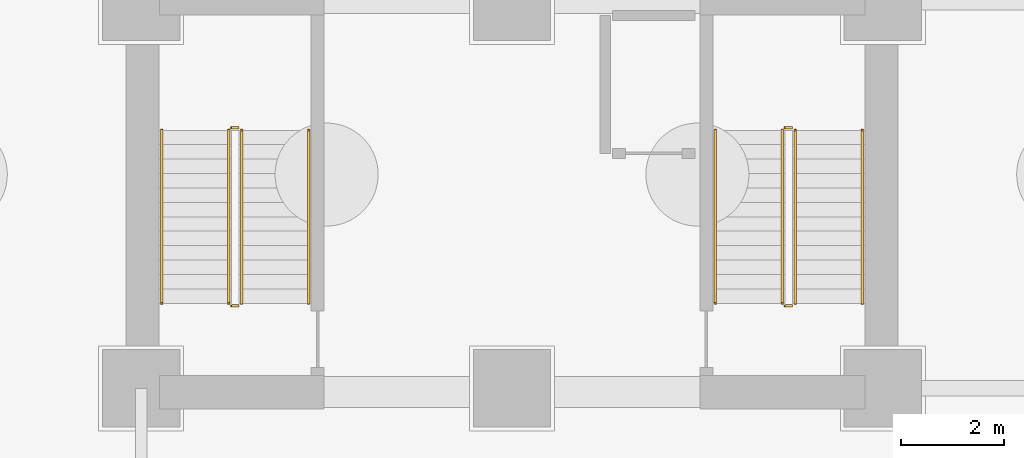
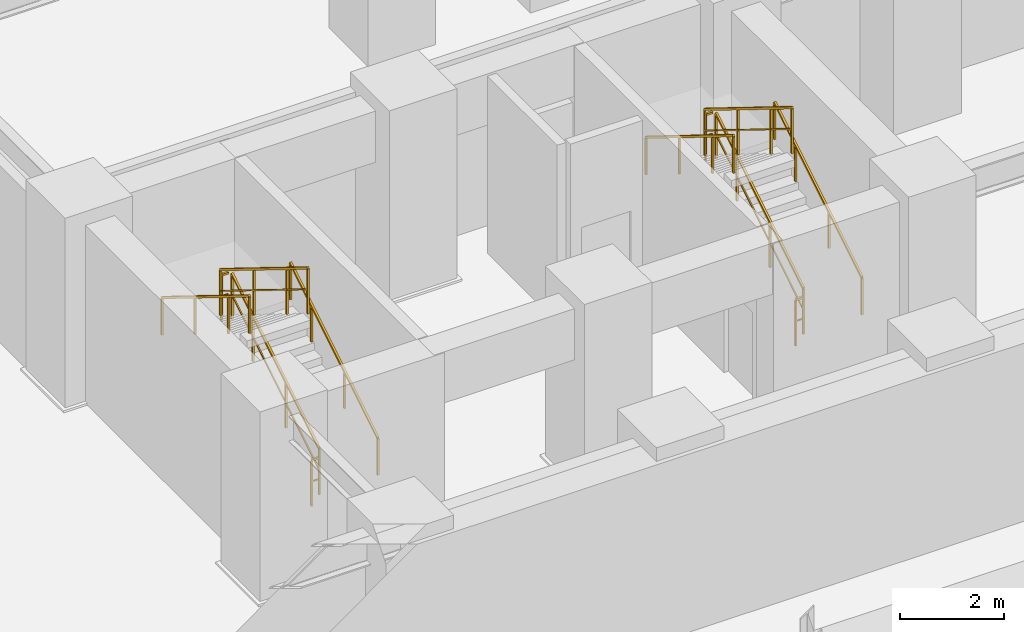
# One storey, part 10 of 11: 12 railings.
"""IFC4 building model written with IfcOpenShell, lengths in metres."""

from ifc_helpers import new_model, si_unit, direction, frame, origin, origin_2d, place, context, subcontext, project, spatial, rectangle, extrude, material, type_object, element, save


model = new_model("IFC4")

# Units and contexts
model_context = context("Model", 3, precision=1e-05, world=origin(), true_north=direction((0.0, 1.0)))
body_context = subcontext(model_context, "Body", "Model", "MODEL_VIEW")
ifc_project = project(units=[si_unit("LENGTHUNIT", "METRE"), si_unit("AREAUNIT", "SQUARE_METRE"), si_unit("VOLUMEUNIT", "CUBIC_METRE"), si_unit("PLANEANGLEUNIT", "RADIAN"), si_unit("MASSUNIT", "GRAM", prefix="KILO")], contexts=[model_context])

# Site, building, storey
site_placement = place(None, origin())
site = spatial("IfcSite", under=ifc_project, at=site_placement, CompositionType="ELEMENT")
building_placement = place(site_placement, origin())
building = spatial("IfcBuilding", under=site, at=building_placement, Name="Kaliganga Portal Commons", CompositionType="ELEMENT")
storey_placement = place(building_placement, frame((0.0, 0.0, -9.0)))
storey = spatial("IfcBuildingStorey", under=building, at=storey_placement, Name="B2", CompositionType="ELEMENT", Elevation=-9.0)

# Railings
ifc_material_1 = material(Name="Galvanized Painted Steel Balustrade", Category="steel")
railing_type_1 = type_object("IfcRailingType", Name="RLG-STAIR-GRD", PredefinedType="GUARDRAIL", material=ifc_material_1)
railing_1_placement = place(storey_placement, frame((37.949951171875, 8.699951171875, 0.173095703125)))
element("IfcRailing", 1, at=railing_1_placement, inside=storey, type_object=railing_type_1, Name="B2 ST-B1 stair guard 1", PredefinedType="GUARDRAIL", context=body_context, shape_type="SweptSolid", body=[
    extrude(rectangle(XDim=0.048095703125, YDim=0.048095703125, at=origin_2d()), frame((0.0, 0.0, 1.07177734375), z_axis=(0.0, 0.850623216509, 0.525775754039), x_axis=(-1.0, 0.0, 0.0)), (0.0, 0.0, 1.0), 3.9501953125),
    extrude(rectangle(XDim=0.028076171875, YDim=0.028076171875, at=origin_2d()), frame((0.0, 0.0, 0.572021484375), z_axis=(0.0, 0.850623216509, 0.525775754039), x_axis=(-1.0, 0.0, 0.0)), (0.0, 0.0, 1.0), 3.9501953125),
    extrude(rectangle(XDim=0.0419921875, YDim=0.0419921875, at=origin_2d()), origin(), (0.0, 0.0, 1.0), 1.052001953125),
    extrude(rectangle(XDim=0.0419921875, YDim=0.0419921875, at=origin_2d()), frame((0.0, 1.27587890625, 0.78857421875)), (0.0, 0.0, 1.0), 1.052001953125),
    extrude(rectangle(XDim=0.0419921875, YDim=0.0419921875, at=origin_2d()), frame((0.0, 2.5517578125, 1.577392578125)), (0.0, 0.0, 1.0), 1.052001953125),
    extrude(rectangle(XDim=0.0419921875, YDim=0.0419921875, at=origin_2d()), frame((0.0, 3.360107421875, 2.076904296875)), (0.0, 0.0, 1.0), 1.052001953125),
])
railing_2_placement = place(storey_placement, frame((37.89990234375, 12.110107421875, 2.25)))
element("IfcRailing", 2, at=railing_2_placement, inside=storey, type_object=railing_type_1, Name="B2 ST-B1 stair guard 2", PredefinedType="GUARDRAIL", context=body_context, shape_type="SweptSolid", body=[
    extrude(rectangle(XDim=0.048095703125, YDim=0.048095703125, at=origin_2d()), frame((0.0, 0.0, 1.076171875), z_axis=(-1.0, 0.0, 0.0), x_axis=(0.0, -1.0, 0.0)), (0.0, 0.0, 1.0), 0.14990234375),
    extrude(rectangle(XDim=0.028076171875, YDim=0.028076171875, at=origin_2d()), frame((0.0, 0.0, 0.572021484375), z_axis=(-1.0, 0.0, 0.0), x_axis=(0.0, -1.0, 0.0)), (0.0, 0.0, 1.0), 0.14990234375),
    extrude(rectangle(XDim=0.0419921875, YDim=0.0419921875, at=origin_2d()), frame((-0.14990234375, 0.0, 0.0)), (0.0, 0.0, 1.0), 1.052001953125),
])
railing_3_placement = place(storey_placement, frame((37.699951171875, 12.06005859375, 2.423095703125)))
element("IfcRailing", 3, at=railing_3_placement, inside=storey, type_object=railing_type_1, Name="B2 ST-B1 stair guard 3", PredefinedType="GUARDRAIL", context=body_context, shape_type="SweptSolid", body=[
    extrude(rectangle(XDim=0.048095703125, YDim=0.048095703125, at=origin_2d()), frame((0.0, 0.0, 1.07177734375), z_axis=(0.0, -0.850623216509, 0.525775754039), x_axis=(1.0, 0.0, 0.0)), (0.0, 0.0, 1.0), 3.9501953125),
    extrude(rectangle(XDim=0.028076171875, YDim=0.028076171875, at=origin_2d()), frame((0.0, 0.0, 0.572021484375), z_axis=(0.0, -0.850623216509, 0.525775754039), x_axis=(1.0, 0.0, 0.0)), (0.0, 0.0, 1.0), 3.9501953125),
    extrude(rectangle(XDim=0.0419921875, YDim=0.0419921875, at=origin_2d()), origin(), (0.0, 0.0, 1.0), 1.052001953125),
    extrude(rectangle(XDim=0.0419921875, YDim=0.0419921875, at=origin_2d()), frame((0.0, -1.27587890625, 0.78857421875)), (0.0, 0.0, 1.0), 1.052001953125),
    extrude(rectangle(XDim=0.0419921875, YDim=0.0419921875, at=origin_2d()), frame((0.0, -2.5517578125, 1.577392578125)), (0.0, 0.0, 1.0), 1.052001953125),
    extrude(rectangle(XDim=0.0419921875, YDim=0.0419921875, at=origin_2d()), frame((0.0, -3.360107421875, 2.076904296875)), (0.0, 0.0, 1.0), 1.052001953125),
])
railing_4_placement = place(storey_placement, frame((37.89990234375, 8.64990234375, 0.0)))
element("IfcRailing", 4, at=railing_4_placement, inside=storey, type_object=railing_type_1, Name="B2 ST-B1 stair guard 4", PredefinedType="GUARDRAIL", context=body_context, shape_type="SweptSolid", body=[
    extrude(rectangle(XDim=0.048095703125, YDim=0.048095703125, at=origin_2d()), frame((0.0, 0.0, 1.076171875), z_axis=(-1.0, 0.0, 0.0), x_axis=(0.0, -1.0, 0.0)), (0.0, 0.0, 1.0), 0.14990234375),
    extrude(rectangle(XDim=0.028076171875, YDim=0.028076171875, at=origin_2d()), frame((0.0, 0.0, 0.572021484375), z_axis=(-1.0, 0.0, 0.0), x_axis=(0.0, -1.0, 0.0)), (0.0, 0.0, 1.0), 0.14990234375),
    extrude(rectangle(XDim=0.0419921875, YDim=0.0419921875, at=origin_2d()), frame((-0.14990234375, 0.0, 0.0)), (0.0, 0.0, 1.0), 1.052001953125),
])
railing_5_placement = place(storey_placement, frame((48.699951171875, 8.699951171875, 0.173095703125)))
element("IfcRailing", 5, at=railing_5_placement, inside=storey, type_object=railing_type_1, Name="B2 ST-B2 stair guard 1", PredefinedType="GUARDRAIL", context=body_context, shape_type="SweptSolid", body=[
    extrude(rectangle(XDim=0.048095703125, YDim=0.048095703125, at=origin_2d()), frame((0.0, 0.0, 1.07177734375), z_axis=(0.0, 0.850623216509, 0.525775754039), x_axis=(-1.0, 0.0, 0.0)), (0.0, 0.0, 1.0), 3.9501953125),
    extrude(rectangle(XDim=0.028076171875, YDim=0.028076171875, at=origin_2d()), frame((0.0, 0.0, 0.572021484375), z_axis=(0.0, 0.850623216509, 0.525775754039), x_axis=(-1.0, 0.0, 0.0)), (0.0, 0.0, 1.0), 3.9501953125),
    extrude(rectangle(XDim=0.0419921875, YDim=0.0419921875, at=origin_2d()), origin(), (0.0, 0.0, 1.0), 1.052001953125),
    extrude(rectangle(XDim=0.0419921875, YDim=0.0419921875, at=origin_2d()), frame((0.0, 1.27587890625, 0.78857421875)), (0.0, 0.0, 1.0), 1.052001953125),
    extrude(rectangle(XDim=0.0419921875, YDim=0.0419921875, at=origin_2d()), frame((0.0, 2.5517578125, 1.577392578125)), (0.0, 0.0, 1.0), 1.052001953125),
    extrude(rectangle(XDim=0.0419921875, YDim=0.0419921875, at=origin_2d()), frame((0.0, 3.360107421875, 2.076904296875)), (0.0, 0.0, 1.0), 1.052001953125),
])
railing_6_placement = place(storey_placement, frame((48.64990234375, 12.110107421875, 2.25)))
element("IfcRailing", 6, at=railing_6_placement, inside=storey, type_object=railing_type_1, Name="B2 ST-B2 stair guard 2", PredefinedType="GUARDRAIL", context=body_context, shape_type="SweptSolid", body=[
    extrude(rectangle(XDim=0.048095703125, YDim=0.048095703125, at=origin_2d()), frame((0.0, 0.0, 1.076171875), z_axis=(-1.0, 0.0, 0.0), x_axis=(0.0, -1.0, 0.0)), (0.0, 0.0, 1.0), 0.14990234375),
    extrude(rectangle(XDim=0.028076171875, YDim=0.028076171875, at=origin_2d()), frame((0.0, 0.0, 0.572021484375), z_axis=(-1.0, 0.0, 0.0), x_axis=(0.0, -1.0, 0.0)), (0.0, 0.0, 1.0), 0.14990234375),
    extrude(rectangle(XDim=0.0419921875, YDim=0.0419921875, at=origin_2d()), frame((-0.14990234375, 0.0, 0.0)), (0.0, 0.0, 1.0), 1.052001953125),
])
railing_7_placement = place(storey_placement, frame((48.449951171875, 12.06005859375, 2.423095703125)))
element("IfcRailing", 7, at=railing_7_placement, inside=storey, type_object=railing_type_1, Name="B2 ST-B2 stair guard 3", PredefinedType="GUARDRAIL", context=body_context, shape_type="SweptSolid", body=[
    extrude(rectangle(XDim=0.048095703125, YDim=0.048095703125, at=origin_2d()), frame((0.0, 0.0, 1.07177734375), z_axis=(0.0, -0.850623216509, 0.525775754039), x_axis=(1.0, 0.0, 0.0)), (0.0, 0.0, 1.0), 3.9501953125),
    extrude(rectangle(XDim=0.028076171875, YDim=0.028076171875, at=origin_2d()), frame((0.0, 0.0, 0.572021484375), z_axis=(0.0, -0.850623216509, 0.525775754039), x_axis=(1.0, 0.0, 0.0)), (0.0, 0.0, 1.0), 3.9501953125),
    extrude(rectangle(XDim=0.0419921875, YDim=0.0419921875, at=origin_2d()), origin(), (0.0, 0.0, 1.0), 1.052001953125),
    extrude(rectangle(XDim=0.0419921875, YDim=0.0419921875, at=origin_2d()), frame((0.0, -1.27587890625, 0.78857421875)), (0.0, 0.0, 1.0), 1.052001953125),
    extrude(rectangle(XDim=0.0419921875, YDim=0.0419921875, at=origin_2d()), frame((0.0, -2.5517578125, 1.577392578125)), (0.0, 0.0, 1.0), 1.052001953125),
    extrude(rectangle(XDim=0.0419921875, YDim=0.0419921875, at=origin_2d()), frame((0.0, -3.360107421875, 2.076904296875)), (0.0, 0.0, 1.0), 1.052001953125),
])
railing_8_placement = place(storey_placement, frame((48.64990234375, 8.64990234375, 0.0)))
element("IfcRailing", 8, at=railing_8_placement, inside=storey, type_object=railing_type_1, Name="B2 ST-B2 stair guard 4", PredefinedType="GUARDRAIL", context=body_context, shape_type="SweptSolid", body=[
    extrude(rectangle(XDim=0.048095703125, YDim=0.048095703125, at=origin_2d()), frame((0.0, 0.0, 1.076171875), z_axis=(-1.0, 0.0, 0.0), x_axis=(0.0, -1.0, 0.0)), (0.0, 0.0, 1.0), 0.14990234375),
    extrude(rectangle(XDim=0.028076171875, YDim=0.028076171875, at=origin_2d()), frame((0.0, 0.0, 0.572021484375), z_axis=(-1.0, 0.0, 0.0), x_axis=(0.0, -1.0, 0.0)), (0.0, 0.0, 1.0), 0.14990234375),
    extrude(rectangle(XDim=0.0419921875, YDim=0.0419921875, at=origin_2d()), frame((-0.14990234375, 0.0, 0.0)), (0.0, 0.0, 1.0), 1.052001953125),
])
ifc_material_2 = material(Name="Brushed Stainless Steel 316", Category="steel")
railing_type_2 = type_object("IfcRailingType", Name="RLG-STAIR-HR", PredefinedType="HANDRAIL", material=ifc_material_2)
railing_9_placement = place(storey_placement, frame((39.25, 8.699951171875, 0.173095703125)))
element("IfcRailing", 9, at=railing_9_placement, inside=storey, type_object=railing_type_2, Name="B2 ST-B1 stair handrail 1", PredefinedType="HANDRAIL", context=body_context, shape_type="SweptSolid", body=[
    extrude(rectangle(XDim=0.048095703125, YDim=0.048095703125, at=origin_2d()), frame((0.0, 0.0, 0.87158203125), z_axis=(0.0, 0.850623216509, 0.525775754039), x_axis=(-1.0, 0.0, 0.0)), (0.0, 0.0, 1.0), 3.9501953125),
    extrude(rectangle(XDim=0.0419921875, YDim=0.0419921875, at=origin_2d()), origin(), (0.0, 0.0, 1.0), 0.851806640625),
    extrude(rectangle(XDim=0.0419921875, YDim=0.0419921875, at=origin_2d()), frame((0.0, 1.27587890625, 0.78857421875)), (0.0, 0.0, 1.0), 0.851806640625),
    extrude(rectangle(XDim=0.0419921875, YDim=0.0419921875, at=origin_2d()), frame((0.0, 2.5517578125, 1.577392578125)), (0.0, 0.0, 1.0), 0.851806640625),
    extrude(rectangle(XDim=0.0419921875, YDim=0.0419921875, at=origin_2d()), frame((0.0, 3.360107421875, 2.076904296875)), (0.0, 0.0, 1.0), 0.851806640625),
])
railing_10_placement = place(storey_placement, frame((36.39990234375, 12.06005859375, 2.423095703125)))
element("IfcRailing", 10, at=railing_10_placement, inside=storey, type_object=railing_type_2, Name="B2 ST-B1 stair handrail 2", PredefinedType="HANDRAIL", context=body_context, shape_type="SweptSolid", body=[
    extrude(rectangle(XDim=0.048095703125, YDim=0.048095703125, at=origin_2d()), frame((0.0, 0.0, 0.87158203125), z_axis=(0.0, -0.850623216509, 0.525775754039), x_axis=(1.0, 0.0, 0.0)), (0.0, 0.0, 1.0), 3.9501953125),
    extrude(rectangle(XDim=0.0419921875, YDim=0.0419921875, at=origin_2d()), origin(), (0.0, 0.0, 1.0), 0.851806640625),
    extrude(rectangle(XDim=0.0419921875, YDim=0.0419921875, at=origin_2d()), frame((0.0, -1.27587890625, 0.78857421875)), (0.0, 0.0, 1.0), 0.851806640625),
    extrude(rectangle(XDim=0.0419921875, YDim=0.0419921875, at=origin_2d()), frame((0.0, -2.5517578125, 1.577392578125)), (0.0, 0.0, 1.0), 0.851806640625),
    extrude(rectangle(XDim=0.0419921875, YDim=0.0419921875, at=origin_2d()), frame((0.0, -3.360107421875, 2.076904296875)), (0.0, 0.0, 1.0), 0.851806640625),
])
railing_11_placement = place(storey_placement, frame((50.0, 8.699951171875, 0.173095703125)))
element("IfcRailing", 11, at=railing_11_placement, inside=storey, type_object=railing_type_2, Name="B2 ST-B2 stair handrail 1", PredefinedType="HANDRAIL", context=body_context, shape_type="SweptSolid", body=[
    extrude(rectangle(XDim=0.048095703125, YDim=0.048095703125, at=origin_2d()), frame((0.0, 0.0, 0.87158203125), z_axis=(0.0, 0.850623216509, 0.525775754039), x_axis=(-1.0, 0.0, 0.0)), (0.0, 0.0, 1.0), 3.9501953125),
    extrude(rectangle(XDim=0.0419921875, YDim=0.0419921875, at=origin_2d()), origin(), (0.0, 0.0, 1.0), 0.851806640625),
    extrude(rectangle(XDim=0.0419921875, YDim=0.0419921875, at=origin_2d()), frame((0.0, 1.27587890625, 0.78857421875)), (0.0, 0.0, 1.0), 0.851806640625),
    extrude(rectangle(XDim=0.0419921875, YDim=0.0419921875, at=origin_2d()), frame((0.0, 2.5517578125, 1.577392578125)), (0.0, 0.0, 1.0), 0.851806640625),
    extrude(rectangle(XDim=0.0419921875, YDim=0.0419921875, at=origin_2d()), frame((0.0, 3.360107421875, 2.076904296875)), (0.0, 0.0, 1.0), 0.851806640625),
])
railing_12_placement = place(storey_placement, frame((47.14990234375, 12.06005859375, 2.423095703125)))
element("IfcRailing", 12, at=railing_12_placement, inside=storey, type_object=railing_type_2, Name="B2 ST-B2 stair handrail 2", PredefinedType="HANDRAIL", context=body_context, shape_type="SweptSolid", body=[
    extrude(rectangle(XDim=0.048095703125, YDim=0.048095703125, at=origin_2d()), frame((0.0, 0.0, 0.87158203125), z_axis=(0.0, -0.850623216509, 0.525775754039), x_axis=(1.0, 0.0, 0.0)), (0.0, 0.0, 1.0), 3.9501953125),
    extrude(rectangle(XDim=0.0419921875, YDim=0.0419921875, at=origin_2d()), origin(), (0.0, 0.0, 1.0), 0.851806640625),
    extrude(rectangle(XDim=0.0419921875, YDim=0.0419921875, at=origin_2d()), frame((0.0, -1.27587890625, 0.78857421875)), (0.0, 0.0, 1.0), 0.851806640625),
    extrude(rectangle(XDim=0.0419921875, YDim=0.0419921875, at=origin_2d()), frame((0.0, -2.5517578125, 1.577392578125)), (0.0, 0.0, 1.0), 0.851806640625),
    extrude(rectangle(XDim=0.0419921875, YDim=0.0419921875, at=origin_2d()), frame((0.0, -3.360107421875, 2.076904296875)), (0.0, 0.0, 1.0), 0.851806640625),
])

save(model, "model.ifc")
